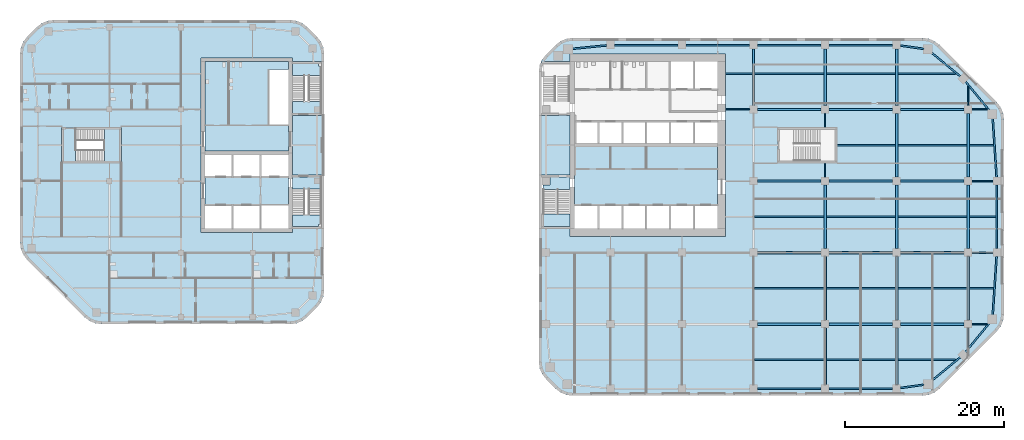
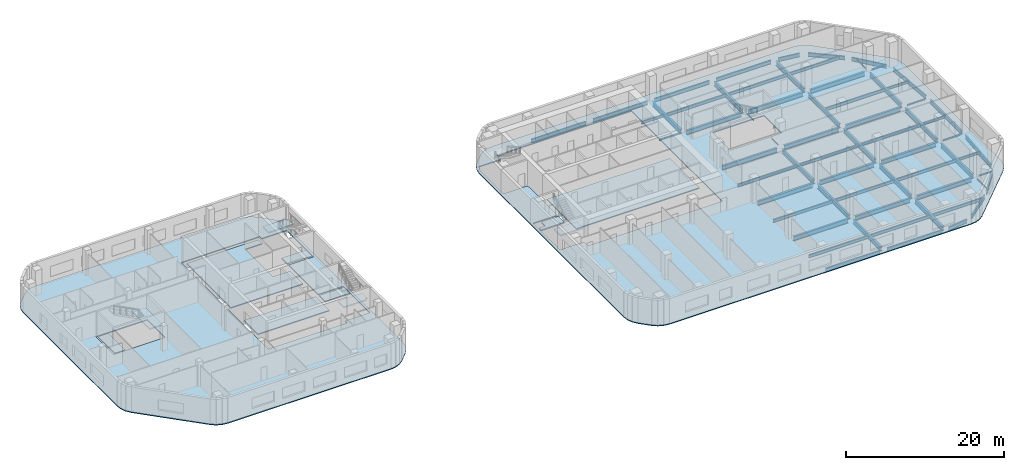
# One storey, part 3 of 15: 68 beams, 13 slabs, 4 elements without a shape of their own.
"""IFC4 building model written with IfcOpenShell, lengths in metres."""

from ifc_helpers import new_model, si_unit, direction, frame, origin, origin_2d, place, context, subcontext, project, spatial, polyline, i_section, outline, extrude, material, layer, layer_set, material_profile, profile_set, type_object, element, aggregate, save


model = new_model("IFC4")

# Units and contexts
model_context = context("Model", 3, precision=1e-05, world=origin(), true_north=direction((0.0, 1.0)))
body_context = subcontext(model_context, "Body", "Model", "MODEL_VIEW")
ifc_project = project(units=[si_unit("LENGTHUNIT", "METRE"), si_unit("AREAUNIT", "SQUARE_METRE"), si_unit("VOLUMEUNIT", "CUBIC_METRE"), si_unit("PLANEANGLEUNIT", "RADIAN"), si_unit("MASSUNIT", "GRAM", prefix="KILO")], contexts=[model_context])

# Site, building, storey
site_placement = place(None, origin())
site = spatial("IfcSite", under=ifc_project, at=site_placement, CompositionType="ELEMENT")
building_placement = place(site_placement, origin())
building = spatial("IfcBuilding", under=site, at=building_placement, Name="Cinnabar Reach Civic Tower", CompositionType="ELEMENT")
storey_placement = place(building_placement, frame((0.0, 0.0, 59.0)))
storey = spatial("IfcBuildingStorey", under=building, at=storey_placement, Name="L13", CompositionType="ELEMENT", Elevation=59.0)

# Beams
ifc_material_1 = material(Name="Steel Q355B", Category="steel")
ifc_material_profile_1 = material_profile(ifc_material_1, i_section(OverallWidth=0.099, OverallDepth=0.198, WebThickness=0.0045, FlangeThickness=0.007, FilletRadius=0.013, at=origin_2d()), Name="HN200x100x5.5x8")
ifc_profile_set_1 = profile_set([ifc_material_profile_1], Name="Steel Q355B")
beam_type_1 = type_object("IfcBeamType", Name="HN200x100x5.5x8 beam R 180", PredefinedType="BEAM", material=ifc_profile_set_1)
for number, where, z_axis, x_axis, name in (
    (1, (36.0, 27.502, -0.249), (0.0, 1.0, 0.0), (-1.0, 0.0, 0.0), "Girder T1 L13 15"),
    (2, (36.0, 33.752, -0.249), (0.0, 1.0, 0.0), (-1.0, 0.0, 0.0), "Girder T1 L13 16"),
):
    element("IfcBeam", number, at=place(storey_placement, frame(where, z_axis=z_axis, x_axis=x_axis)), inside=storey, type_object=beam_type_1, Name=name, PredefinedType="BEAM", context=body_context, shape_type="SweptSolid", body=[
        extrude(i_section(OverallWidth=0.099, OverallDepth=0.198, WebThickness=0.0045, FlangeThickness=0.007, FilletRadius=0.013, at=origin_2d()), origin(), (0.0, 0.0, 1.0), 1.746),
    ])
for number, where, z_axis, x_axis, name in (
    (3, (54.0, 6.0682, -0.249), (0.0, 1.0, 0.0), (-1.0, 0.0, 0.0), "Girder T1 L13 23"),
    (4, (54.0, 36.502, -0.249), (0.0, 1.0, 0.0), (-1.0, 0.0, 0.0), "Girder T1 L13 27"),
):
    element("IfcBeam", number, at=place(storey_placement, frame(where, z_axis=z_axis, x_axis=x_axis)), inside=storey, type_object=beam_type_1, Name=name, PredefinedType="BEAM", context=body_context, shape_type="SweptSolid", body=[
        extrude(i_section(OverallWidth=0.099, OverallDepth=0.198, WebThickness=0.0045, FlangeThickness=0.007, FilletRadius=0.013, at=origin_2d()), origin(), (0.0, 0.0, 1.0), 2.4298),
    ])
ifc_material_profile_2 = material_profile(ifc_material_1, i_section(OverallWidth=0.124, OverallDepth=0.248, WebThickness=0.005, FlangeThickness=0.008, FilletRadius=0.013, at=origin_2d()), Name="HN250x125x6x9")
ifc_profile_set_2 = profile_set([ifc_material_profile_2], Name="Steel Q355B")
beam_type_2 = type_object("IfcBeamType", Name="HN250x125x6x9 beam R 180", PredefinedType="BEAM", material=ifc_profile_set_2)
beam_1_placement = place(storey_placement, frame((54.502, 9.0, -0.274), z_axis=(1.0, 0.0, 0.0), x_axis=(0.0, 1.0, 0.0)))
element("IfcBeam", 5, at=beam_1_placement, inside=storey, type_object=beam_type_2, Name="Girder T1 L13 7", PredefinedType="BEAM", context=body_context, shape_type="SweptSolid", body=[
    extrude(i_section(OverallWidth=0.124, OverallDepth=0.248, WebThickness=0.005, FlangeThickness=0.008, FilletRadius=0.013, at=origin_2d()), origin(), (0.0, 0.0, 1.0), 1.9162),
])
for number, where, z_axis, x_axis, name in (
    (6, (54.502, 18.0, -0.274), (1.0, 0.0, 0.0), (0.0, 1.0, 0.0), "Girder T1 L13 14"),
    (7, (54.502, 27.0, -0.274), (1.0, 0.0, 0.0), (0.0, 1.0, 0.0), "Girder T1 L13 19"),
):
    element("IfcBeam", number, at=place(storey_placement, frame(where, z_axis=z_axis, x_axis=x_axis)), inside=storey, type_object=beam_type_2, Name=name, PredefinedType="BEAM", context=body_context, shape_type="SweptSolid", body=[
        extrude(i_section(OverallWidth=0.124, OverallDepth=0.248, WebThickness=0.005, FlangeThickness=0.008, FilletRadius=0.013, at=origin_2d()), origin(), (0.0, 0.0, 1.0), 2.596),
    ])
beam_2_placement = place(storey_placement, frame((23.502, 36.0, -0.274), z_axis=(1.0, 0.0, 0.0), x_axis=(0.0, 1.0, 0.0)))
element("IfcBeam", 8, at=beam_2_placement, inside=storey, type_object=beam_type_2, Name="Girder T1 L13 20", PredefinedType="BEAM", context=body_context, shape_type="SweptSolid", body=[
    extrude(i_section(OverallWidth=0.124, OverallDepth=0.248, WebThickness=0.005, FlangeThickness=0.008, FilletRadius=0.013, at=origin_2d()), origin(), (0.0, 0.0, 1.0), 2.996),
])
beam_3_placement = place(storey_placement, frame((54.502, 36.0, -0.274), z_axis=(1.0, 0.0, 0.0), x_axis=(0.0, 1.0, 0.0)))
element("IfcBeam", 9, at=beam_3_placement, inside=storey, type_object=beam_type_2, Name="Girder T1 L13 24", PredefinedType="BEAM", context=body_context, shape_type="SweptSolid", body=[
    extrude(i_section(OverallWidth=0.124, OverallDepth=0.248, WebThickness=0.005, FlangeThickness=0.008, FilletRadius=0.013, at=origin_2d()), origin(), (0.0, 0.0, 1.0), 1.9162),
])
ifc_material_profile_3 = material_profile(ifc_material_1, i_section(OverallWidth=0.2, OverallDepth=0.4, WebThickness=0.008, FlangeThickness=0.013, FilletRadius=0.016, at=origin_2d()), Name="HN400x200x8x13")
ifc_profile_set_3 = profile_set([ifc_material_profile_3], Name="Steel Q355B")
beam_type_3 = type_object("IfcBeamType", Name="HN400x200x8x13 beam R 180", PredefinedType="BEAM", material=ifc_profile_set_3)
beam_4_placement = place(storey_placement, frame((54.152, 13.5, -0.35), z_axis=(1.0, 0.0, 0.0), x_axis=(0.0, 1.0, 0.0)))
element("IfcBeam", 10, at=beam_4_placement, inside=storey, type_object=beam_type_3, Name="Secondary beam T1 L13 13", PredefinedType="BEAM", context=body_context, shape_type="SweptSolid", body=[
    extrude(i_section(OverallWidth=0.2, OverallDepth=0.4, WebThickness=0.008, FlangeThickness=0.013, FilletRadius=0.016, at=origin_2d()), origin(), (0.0, 0.0, 1.0), 3.0494),
])
beam_5_placement = place(storey_placement, frame((54.152, 22.5, -0.35), z_axis=(1.0, 0.0, 0.0), x_axis=(0.0, 1.0, 0.0)))
element("IfcBeam", 11, at=beam_5_placement, inside=storey, type_object=beam_type_3, Name="Secondary beam T1 L13 18", PredefinedType="BEAM", context=body_context, shape_type="SweptSolid", body=[
    extrude(i_section(OverallWidth=0.2, OverallDepth=0.4, WebThickness=0.008, FlangeThickness=0.013, FilletRadius=0.016, at=origin_2d()), origin(), (0.0, 0.0, 1.0), 3.346),
])
beam_6_placement = place(storey_placement, frame((54.152, 31.5, -0.35), z_axis=(1.0, 0.0, 0.0), x_axis=(0.0, 1.0, 0.0)))
element("IfcBeam", 12, at=beam_6_placement, inside=storey, type_object=beam_type_3, Name="Secondary beam T1 L13 24", PredefinedType="BEAM", context=body_context, shape_type="SweptSolid", body=[
    extrude(i_section(OverallWidth=0.2, OverallDepth=0.4, WebThickness=0.008, FlangeThickness=0.013, FilletRadius=0.016, at=origin_2d()), origin(), (0.0, 0.0, 1.0), 3.0494),
])
beam_7_placement = place(storey_placement, frame((23.502, 40.5, -0.35), z_axis=(1.0, 0.0, 0.0), x_axis=(0.0, 1.0, 0.0)))
element("IfcBeam", 13, at=beam_7_placement, inside=storey, type_object=beam_type_3, Name="Secondary beam T1 L13 25", PredefinedType="BEAM", context=body_context, shape_type="SweptSolid", body=[
    extrude(i_section(OverallWidth=0.2, OverallDepth=0.4, WebThickness=0.008, FlangeThickness=0.013, FilletRadius=0.016, at=origin_2d()), origin(), (0.0, 0.0, 1.0), 3.346),
])
ifc_material_profile_4 = material_profile(ifc_material_1, i_section(OverallWidth=0.2, OverallDepth=0.5, WebThickness=0.01, FlangeThickness=0.016, FilletRadius=0.016, at=origin_2d()), Name="HN500x200x10x16")
ifc_profile_set_4 = profile_set([ifc_material_profile_4], Name="Steel Q355B")
beam_type_4 = type_object("IfcBeamType", Name="HN500x200x10x16 beam R 180", PredefinedType="BEAM", material=ifc_profile_set_4)
for number, where, z_axis, x_axis, name in (
    (14, (27.152, 4.5, -0.4), (1.0, 0.0, 0.0), (0.0, 1.0, 0.0), "Secondary beam T1 L13 4"),
    (15, (36.152, 4.5, -0.4), (1.0, 0.0, 0.0), (0.0, 1.0, 0.0), "Secondary beam T1 L13 5"),
):
    element("IfcBeam", number, at=place(storey_placement, frame(where, z_axis=z_axis, x_axis=x_axis)), inside=storey, type_object=beam_type_4, Name=name, PredefinedType="BEAM", context=body_context, shape_type="SweptSolid", body=[
        extrude(i_section(OverallWidth=0.2, OverallDepth=0.5, WebThickness=0.01, FlangeThickness=0.016, FilletRadius=0.016, at=origin_2d()), origin(), (0.0, 0.0, 1.0), 8.696),
    ])
beam_8_placement = place(storey_placement, frame((45.152, 4.5, -0.4), z_axis=(1.0, 0.0, 0.0), x_axis=(0.0, 1.0, 0.0)))
element("IfcBeam", 16, at=beam_8_placement, inside=storey, type_object=beam_type_4, Name="Secondary beam T1 L13 6", PredefinedType="BEAM", context=body_context, shape_type="SweptSolid", body=[
    extrude(i_section(OverallWidth=0.2, OverallDepth=0.5, WebThickness=0.01, FlangeThickness=0.016, FilletRadius=0.016, at=origin_2d()), origin(), (0.0, 0.0, 1.0), 7.2798),
])
for number, where, z_axis, x_axis, name in (
    (17, (27.152, 13.5, -0.4), (1.0, 0.0, 0.0), (0.0, 1.0, 0.0), "Secondary beam T1 L13 10"),
    (18, (36.152, 13.5, -0.4), (1.0, 0.0, 0.0), (0.0, 1.0, 0.0), "Secondary beam T1 L13 11"),
    (19, (45.152, 13.5, -0.4), (1.0, 0.0, 0.0), (0.0, 1.0, 0.0), "Secondary beam T1 L13 12"),
    (20, (27.152, 22.5, -0.4), (1.0, 0.0, 0.0), (0.0, 1.0, 0.0), "Secondary beam T1 L13 15"),
    (21, (36.152, 22.5, -0.4), (1.0, 0.0, 0.0), (0.0, 1.0, 0.0), "Secondary beam T1 L13 16"),
    (22, (45.152, 22.5, -0.4), (1.0, 0.0, 0.0), (0.0, 1.0, 0.0), "Secondary beam T1 L13 17"),
):
    element("IfcBeam", number, at=place(storey_placement, frame(where, z_axis=z_axis, x_axis=x_axis)), inside=storey, type_object=beam_type_4, Name=name, PredefinedType="BEAM", context=body_context, shape_type="SweptSolid", body=[
        extrude(i_section(OverallWidth=0.2, OverallDepth=0.5, WebThickness=0.01, FlangeThickness=0.016, FilletRadius=0.016, at=origin_2d()), origin(), (0.0, 0.0, 1.0), 8.696),
    ])
beam_9_placement = place(storey_placement, frame((37.502, 31.5, -0.4), z_axis=(1.0, 0.0, 0.0), x_axis=(0.0, 1.0, 0.0)))
element("IfcBeam", 23, at=beam_9_placement, inside=storey, type_object=beam_type_4, Name="Secondary beam T1 L13 22", PredefinedType="BEAM", context=body_context, shape_type="SweptSolid", body=[
    extrude(i_section(OverallWidth=0.2, OverallDepth=0.5, WebThickness=0.01, FlangeThickness=0.016, FilletRadius=0.016, at=origin_2d()), origin(), (0.0, 0.0, 1.0), 7.346),
])
for number, where, z_axis, x_axis, name in (
    (24, (45.152, 31.5, -0.4), (1.0, 0.0, 0.0), (0.0, 1.0, 0.0), "Secondary beam T1 L13 23"),
    (25, (27.152, 40.5, -0.4), (1.0, 0.0, 0.0), (0.0, 1.0, 0.0), "Secondary beam T1 L13 26"),
    (26, (36.152, 40.5, -0.4), (1.0, 0.0, 0.0), (0.0, 1.0, 0.0), "Secondary beam T1 L13 27"),
):
    element("IfcBeam", number, at=place(storey_placement, frame(where, z_axis=z_axis, x_axis=x_axis)), inside=storey, type_object=beam_type_4, Name=name, PredefinedType="BEAM", context=body_context, shape_type="SweptSolid", body=[
        extrude(i_section(OverallWidth=0.2, OverallDepth=0.5, WebThickness=0.01, FlangeThickness=0.016, FilletRadius=0.016, at=origin_2d()), origin(), (0.0, 0.0, 1.0), 8.696),
    ])
beam_10_placement = place(storey_placement, frame((45.152, 40.5, -0.4), z_axis=(1.0, 0.0, 0.0), x_axis=(0.0, 1.0, 0.0)))
element("IfcBeam", 27, at=beam_10_placement, inside=storey, type_object=beam_type_4, Name="Secondary beam T1 L13 28", PredefinedType="BEAM", context=body_context, shape_type="SweptSolid", body=[
    extrude(i_section(OverallWidth=0.2, OverallDepth=0.5, WebThickness=0.01, FlangeThickness=0.016, FilletRadius=0.016, at=origin_2d()), origin(), (0.0, 0.0, 1.0), 7.2798),
])
ifc_material_profile_5 = material_profile(ifc_material_1, i_section(OverallWidth=0.2, OverallDepth=0.6, WebThickness=0.011, FlangeThickness=0.017, FilletRadius=0.016, at=origin_2d()), Name="HN600x200x11x17")
ifc_profile_set_5 = profile_set([ifc_material_profile_5], Name="Steel Q355B")
beam_type_5 = type_object("IfcBeamType", Name="HN600x200x11x17 beam R 180", PredefinedType="BEAM", material=ifc_profile_set_5)
for number, where, z_axis, x_axis, name in (
    (28, (27.502, 0.9, -0.45), (1.0, 0.0, 0.0), (0.0, 1.0, 0.0), "Edge beam T1 L13 4"),
    (29, (36.502, 0.9, -0.45), (1.0, 0.0, 0.0), (0.0, 1.0, 0.0), "Edge beam T1 L13 5"),
):
    element("IfcBeam", number, at=place(storey_placement, frame(where, z_axis=z_axis, x_axis=x_axis)), inside=storey, type_object=beam_type_5, Name=name, PredefinedType="BEAM", context=body_context, shape_type="SweptSolid", body=[
        extrude(i_section(OverallWidth=0.2, OverallDepth=0.6, WebThickness=0.011, FlangeThickness=0.017, FilletRadius=0.016, at=origin_2d()), origin(), (0.0, 0.0, 1.0), 7.996),
    ])
beam_11_placement = place(storey_placement, frame((45.502, 0.9712, -0.45), z_axis=(0.990082238922, 0.140489003738, 0.0), x_axis=(-0.140489003738, 0.990082238922, 0.0)))
element("IfcBeam", 30, at=beam_11_placement, inside=storey, type_object=beam_type_5, Name="Edge beam T1 L13 6", PredefinedType="BEAM", context=body_context, shape_type="SweptSolid", body=[
    extrude(i_section(OverallWidth=0.2, OverallDepth=0.6, WebThickness=0.011, FlangeThickness=0.017, FilletRadius=0.016, at=origin_2d()), origin(), (0.0, 0.0, 1.0), 2.9433),
])
for number, where, z_axis, x_axis, name in (
    (31, (49.3801, 1.8507, -0.45), (0.77143827905, 0.6363041581, 0.0), (-0.6363041581, 0.77143827905, 0.0), "Edge beam T1 L13 7"),
    (32, (53.6461, 5.4789, -0.45), (0.6363041581, 0.77143827905, 0.0), (-0.77143827905, 0.6363041581, 0.0), "Edge beam T1 L13 8"),
):
    element("IfcBeam", number, at=place(storey_placement, frame(where, z_axis=z_axis, x_axis=x_axis)), inside=storey, type_object=beam_type_5, Name=name, PredefinedType="BEAM", context=body_context, shape_type="SweptSolid", body=[
        extrude(i_section(OverallWidth=0.2, OverallDepth=0.6, WebThickness=0.011, FlangeThickness=0.017, FilletRadius=0.016, at=origin_2d()), origin(), (0.0, 0.0, 1.0), 4.7198),
    ])
beam_12_placement = place(storey_placement, frame((57.0786, 10.0839, -0.45), z_axis=(0.065718615968, 0.997838195057, 0.0), x_axis=(-0.997838195057, 0.065718615968, 0.0)))
element("IfcBeam", 33, at=beam_12_placement, inside=storey, type_object=beam_type_5, Name="Edge beam T1 L13 9", PredefinedType="BEAM", context=body_context, shape_type="SweptSolid", body=[
    extrude(i_section(OverallWidth=0.2, OverallDepth=0.6, WebThickness=0.011, FlangeThickness=0.017, FilletRadius=0.016, at=origin_2d()), origin(), (0.0, 0.0, 1.0), 7.4302),
])
beam_13_placement = place(storey_placement, frame((57.6, 18.502, -0.45), z_axis=(0.0, 1.0, 0.0), x_axis=(-1.0, 0.0, 0.0)))
element("IfcBeam", 34, at=beam_13_placement, inside=storey, type_object=beam_type_5, Name="Edge beam T1 L13 10", PredefinedType="BEAM", context=body_context, shape_type="SweptSolid", body=[
    extrude(i_section(OverallWidth=0.2, OverallDepth=0.6, WebThickness=0.011, FlangeThickness=0.017, FilletRadius=0.016, at=origin_2d()), origin(), (0.0, 0.0, 1.0), 7.996),
])
beam_14_placement = place(storey_placement, frame((57.5669, 27.502, -0.45), z_axis=(-0.065718615968, 0.997838195057, 0.0), x_axis=(-0.997838195057, -0.065718615968, 0.0)))
element("IfcBeam", 35, at=beam_14_placement, inside=storey, type_object=beam_type_5, Name="Edge beam T1 L13 11", PredefinedType="BEAM", context=body_context, shape_type="SweptSolid", body=[
    extrude(i_section(OverallWidth=0.2, OverallDepth=0.6, WebThickness=0.011, FlangeThickness=0.017, FilletRadius=0.016, at=origin_2d()), origin(), (0.0, 0.0, 1.0), 7.4302),
])
for number, where, z_axis, x_axis, name in (
    (36, (56.6493, 35.8801, -0.45), (-0.6363041581, 0.77143827905, 0.0), (-0.77143827905, -0.6363041581, 0.0), "Edge beam T1 L13 12"),
    (37, (53.0211, 40.1461, -0.45), (-0.77143827905, 0.6363041581, 0.0), (-0.6363041581, -0.77143827905, 0.0), "Edge beam T1 L13 13"),
):
    element("IfcBeam", number, at=place(storey_placement, frame(where, z_axis=z_axis, x_axis=x_axis)), inside=storey, type_object=beam_type_5, Name=name, PredefinedType="BEAM", context=body_context, shape_type="SweptSolid", body=[
        extrude(i_section(OverallWidth=0.2, OverallDepth=0.6, WebThickness=0.011, FlangeThickness=0.017, FilletRadius=0.016, at=origin_2d()), origin(), (0.0, 0.0, 1.0), 4.7198),
    ])
beam_15_placement = place(storey_placement, frame((48.4161, 43.6153, -0.45), z_axis=(-0.990082238922, 0.140489003738, 0.0), x_axis=(-0.140489003738, -0.990082238922, 0.0)))
element("IfcBeam", 38, at=beam_15_placement, inside=storey, type_object=beam_type_5, Name="Edge beam T1 L13 14", PredefinedType="BEAM", context=body_context, shape_type="SweptSolid", body=[
    extrude(i_section(OverallWidth=0.2, OverallDepth=0.6, WebThickness=0.011, FlangeThickness=0.017, FilletRadius=0.016, at=origin_2d()), origin(), (0.0, 0.0, 1.0), 2.9433),
])
for number, where, z_axis, x_axis, name in (
    (39, (44.498, 44.1, -0.45), (-1.0, 0.0, 0.0), (0.0, -1.0, 0.0), "Edge beam T1 L13 15"),
    (40, (35.498, 44.1, -0.45), (-1.0, 0.0, 0.0), (0.0, -1.0, 0.0), "Edge beam T1 L13 16"),
    (41, (26.498, 44.1, -0.45), (-1.0, 0.0, 0.0), (0.0, -1.0, 0.0), "Edge beam T1 L13 17"),
    (42, (17.498, 44.1, -0.45), (-1.0, 0.0, 0.0), (0.0, -1.0, 0.0), "Edge beam T1 L13 18"),
):
    element("IfcBeam", number, at=place(storey_placement, frame(where, z_axis=z_axis, x_axis=x_axis)), inside=storey, type_object=beam_type_5, Name=name, PredefinedType="BEAM", context=body_context, shape_type="SweptSolid", body=[
        extrude(i_section(OverallWidth=0.2, OverallDepth=0.6, WebThickness=0.011, FlangeThickness=0.017, FilletRadius=0.016, at=origin_2d()), origin(), (0.0, 0.0, 1.0), 7.996),
    ])
beam_16_placement = place(storey_placement, frame((8.498, 44.0505, -0.45), z_axis=(-0.995166374533, -0.098203294236, 0.0), x_axis=(0.098203294236, -0.995166374533, 0.0)))
element("IfcBeam", 43, at=beam_16_placement, inside=storey, type_object=beam_type_5, Name="Edge beam T1 L13 19", PredefinedType="BEAM", context=body_context, shape_type="SweptSolid", body=[
    extrude(i_section(OverallWidth=0.2, OverallDepth=0.6, WebThickness=0.011, FlangeThickness=0.017, FilletRadius=0.016, at=origin_2d()), origin(), (0.0, 0.0, 1.0), 4.3705),
])
ifc_material_profile_6 = material_profile(ifc_material_1, i_section(OverallWidth=0.3, OverallDepth=0.692, WebThickness=0.013, FlangeThickness=0.02, FilletRadius=0.016, at=origin_2d()), Name="HN692x300x13x20")
ifc_profile_set_6 = profile_set([ifc_material_profile_6], Name="Steel Q355B")
beam_type_6 = type_object("IfcBeamType", Name="HN692x300x13x20 beam R 180", PredefinedType="BEAM", material=ifc_profile_set_6)
for number, where, z_axis, x_axis, name in (
    (44, (27.0, 36.502, -0.496), (0.0, 1.0, 0.0), (-1.0, 0.0, 0.0), "Girder T1 L13 11"),
    (45, (36.0, 1.402, -0.496), (0.0, 1.0, 0.0), (-1.0, 0.0, 0.0), "Girder T1 L13 12"),
):
    element("IfcBeam", number, at=place(storey_placement, frame(where, z_axis=z_axis, x_axis=x_axis)), inside=storey, type_object=beam_type_6, Name=name, PredefinedType="BEAM", context=body_context, shape_type="SweptSolid", body=[
        extrude(i_section(OverallWidth=0.3, OverallDepth=0.692, WebThickness=0.013, FlangeThickness=0.02, FilletRadius=0.016, at=origin_2d()), origin(), (0.0, 0.0, 1.0), 7.096),
    ])
for number, where, z_axis, x_axis, name in (
    (46, (36.0, 9.502, -0.496), (0.0, 1.0, 0.0), (-1.0, 0.0, 0.0), "Girder T1 L13 13"),
    (47, (36.0, 18.502, -0.496), (0.0, 1.0, 0.0), (-1.0, 0.0, 0.0), "Girder T1 L13 14"),
):
    element("IfcBeam", number, at=place(storey_placement, frame(where, z_axis=z_axis, x_axis=x_axis)), inside=storey, type_object=beam_type_6, Name=name, PredefinedType="BEAM", context=body_context, shape_type="SweptSolid", body=[
        extrude(i_section(OverallWidth=0.3, OverallDepth=0.692, WebThickness=0.013, FlangeThickness=0.02, FilletRadius=0.016, at=origin_2d()), origin(), (0.0, 0.0, 1.0), 7.996),
    ])
for number, where, z_axis, x_axis, name in (
    (48, (36.0, 36.502, -0.496), (0.0, 1.0, 0.0), (-1.0, 0.0, 0.0), "Girder T1 L13 17"),
    (49, (45.0, 1.402, -0.496), (0.0, 1.0, 0.0), (-1.0, 0.0, 0.0), "Girder T1 L13 18"),
):
    element("IfcBeam", number, at=place(storey_placement, frame(where, z_axis=z_axis, x_axis=x_axis)), inside=storey, type_object=beam_type_6, Name=name, PredefinedType="BEAM", context=body_context, shape_type="SweptSolid", body=[
        extrude(i_section(OverallWidth=0.3, OverallDepth=0.692, WebThickness=0.013, FlangeThickness=0.02, FilletRadius=0.016, at=origin_2d()), origin(), (0.0, 0.0, 1.0), 7.096),
    ])
for number, where, z_axis, x_axis, name in (
    (50, (45.0, 9.502, -0.496), (0.0, 1.0, 0.0), (-1.0, 0.0, 0.0), "Girder T1 L13 19"),
    (51, (45.0, 18.502, -0.496), (0.0, 1.0, 0.0), (-1.0, 0.0, 0.0), "Girder T1 L13 20"),
    (52, (45.0, 27.502, -0.496), (0.0, 1.0, 0.0), (-1.0, 0.0, 0.0), "Girder T1 L13 21"),
):
    element("IfcBeam", number, at=place(storey_placement, frame(where, z_axis=z_axis, x_axis=x_axis)), inside=storey, type_object=beam_type_6, Name=name, PredefinedType="BEAM", context=body_context, shape_type="SweptSolid", body=[
        extrude(i_section(OverallWidth=0.3, OverallDepth=0.692, WebThickness=0.013, FlangeThickness=0.02, FilletRadius=0.016, at=origin_2d()), origin(), (0.0, 0.0, 1.0), 7.996),
    ])
beam_17_placement = place(storey_placement, frame((45.0, 36.502, -0.496), z_axis=(0.0, 1.0, 0.0), x_axis=(-1.0, 0.0, 0.0)))
element("IfcBeam", 53, at=beam_17_placement, inside=storey, type_object=beam_type_6, Name="Girder T1 L13 22", PredefinedType="BEAM", context=body_context, shape_type="SweptSolid", body=[
    extrude(i_section(OverallWidth=0.3, OverallDepth=0.692, WebThickness=0.013, FlangeThickness=0.02, FilletRadius=0.016, at=origin_2d()), origin(), (0.0, 0.0, 1.0), 7.096),
])
for number, where, z_axis, x_axis, name in (
    (54, (54.0, 9.502, -0.496), (0.0, 1.0, 0.0), (-1.0, 0.0, 0.0), "Girder T1 L13 24"),
    (55, (54.0, 18.502, -0.496), (0.0, 1.0, 0.0), (-1.0, 0.0, 0.0), "Girder T1 L13 25"),
    (56, (54.0, 27.502, -0.496), (0.0, 1.0, 0.0), (-1.0, 0.0, 0.0), "Girder T1 L13 26"),
):
    element("IfcBeam", number, at=place(storey_placement, frame(where, z_axis=z_axis, x_axis=x_axis)), inside=storey, type_object=beam_type_6, Name=name, PredefinedType="BEAM", context=body_context, shape_type="SweptSolid", body=[
        extrude(i_section(OverallWidth=0.3, OverallDepth=0.692, WebThickness=0.013, FlangeThickness=0.02, FilletRadius=0.016, at=origin_2d()), origin(), (0.0, 0.0, 1.0), 7.996),
    ])
ifc_material_profile_7 = material_profile(ifc_material_1, i_section(OverallWidth=0.3, OverallDepth=0.7, WebThickness=0.013, FlangeThickness=0.024, FilletRadius=0.02, at=origin_2d()), Name="HN700x300x13x24")
ifc_profile_set_7 = profile_set([ifc_material_profile_7], Name="Steel Q355B")
beam_type_7 = type_object("IfcBeamType", Name="HN700x300x13x24 beam R 180", PredefinedType="BEAM", material=ifc_profile_set_7)
for number, where, z_axis, x_axis, name in (
    (57, (27.502, 9.0, -0.5), (1.0, 0.0, 0.0), (0.0, 1.0, 0.0), "Girder T1 L13 4"),
    (58, (36.502, 9.0, -0.5), (1.0, 0.0, 0.0), (0.0, 1.0, 0.0), "Girder T1 L13 5"),
    (59, (45.502, 9.0, -0.5), (1.0, 0.0, 0.0), (0.0, 1.0, 0.0), "Girder T1 L13 6"),
    (60, (27.502, 18.0, -0.5), (1.0, 0.0, 0.0), (0.0, 1.0, 0.0), "Girder T1 L13 11"),
    (61, (36.502, 18.0, -0.5), (1.0, 0.0, 0.0), (0.0, 1.0, 0.0), "Girder T1 L13 12"),
    (62, (45.502, 18.0, -0.5), (1.0, 0.0, 0.0), (0.0, 1.0, 0.0), "Girder T1 L13 13"),
    (63, (27.502, 27.0, -0.5), (1.0, 0.0, 0.0), (0.0, 1.0, 0.0), "Girder T1 L13 16"),
    (64, (36.502, 27.0, -0.5), (1.0, 0.0, 0.0), (0.0, 1.0, 0.0), "Girder T1 L13 17"),
    (65, (45.502, 27.0, -0.5), (1.0, 0.0, 0.0), (0.0, 1.0, 0.0), "Girder T1 L13 18"),
    (66, (27.502, 36.0, -0.5), (1.0, 0.0, 0.0), (0.0, 1.0, 0.0), "Girder T1 L13 21"),
    (67, (36.502, 36.0, -0.5), (1.0, 0.0, 0.0), (0.0, 1.0, 0.0), "Girder T1 L13 22"),
    (68, (45.502, 36.0, -0.5), (1.0, 0.0, 0.0), (0.0, 1.0, 0.0), "Girder T1 L13 23"),
):
    element("IfcBeam", number, at=place(storey_placement, frame(where, z_axis=z_axis, x_axis=x_axis)), inside=storey, type_object=beam_type_7, Name=name, PredefinedType="BEAM", context=body_context, shape_type="SweptSolid", body=[
        extrude(i_section(OverallWidth=0.3, OverallDepth=0.7, WebThickness=0.013, FlangeThickness=0.024, FilletRadius=0.02, at=origin_2d()), origin(), (0.0, 0.0, 1.0), 7.996),
    ])

# Slabs
ifc_material_2 = material(Name="Concrete C40", Category="concrete")
ifc_layer_1 = layer(ifc_material_2, 0.15)
ifc_layer_set_1 = layer_set([ifc_layer_1], Name="Composite floor slab 150 REI 120")
slab_type_1 = type_object("IfcSlabType", Name="Composite floor slab 150 REI 120", PredefinedType="FLOOR", material=ifc_layer_set_1)
slab_1_placement = place(storey_placement, frame((0.0, 0.0, -0.15)))
element("IfcSlab", 69, at=slab_1_placement, inside=storey, type_object=slab_type_1, Name="Composite floor slab 150 T2 L13", PredefinedType="FLOOR", context=body_context, shape_type="SweptSolid", body=[
    extrude(outline(polyline([(-64.3713, 17.1213), (-64.8481, 17.7426), (-65.1478, 18.4662), (-65.25, 19.2426), (-65.25, 43.0074), (-65.1478, 43.7838), (-64.8481, 44.5074), (-64.3713, 45.1287), (-63.1287, 46.3713), (-62.5074, 46.8481), (-61.7838, 47.1478), (-61.0074, 47.25), (-31.2426, 47.25), (-30.4662, 47.1478), (-29.7426, 46.8481), (-29.1213, 46.3713), (-27.8787, 45.1287), (-27.4019, 44.5074), (-27.1022, 43.7838), (-27.0, 43.0074), (-27.0, 13.2426), (-27.1022, 12.4662), (-27.4019, 11.7426), (-27.8787, 11.1213), (-29.1213, 9.8787), (-29.7426, 9.4019), (-30.4662, 9.1022), (-31.2426, 9.0), (-55.0074, 9.0), (-55.7838, 9.1022), (-56.5074, 9.4019), (-57.1287, 9.8787), (-64.3713, 17.1213)]), holes=[polyline([(-31.0, 27.75), (-31.0, 35.25), (-27.36, 35.25), (-27.36, 42.0), (-31.0, 42.0), (-31.0, 42.5), (-42.5, 42.5), (-42.5, 20.5), (-31.0, 20.5), (-31.0, 21.0), (-27.36, 21.0), (-27.36, 27.75), (-31.0, 27.75)]), polyline([(-60.0, 33.75), (-60.0, 29.25), (-52.5, 29.25), (-52.5, 33.75), (-60.0, 33.75)])]), origin(), (0.0, 0.0, 1.0), 0.15),
])
ifc_layer_2 = layer(ifc_material_2, 0.15)
ifc_layer_set_2 = layer_set([ifc_layer_2], Name="Composite floor slab 150 REI 150")
slab_type_2 = type_object("IfcSlabType", Name="Composite floor slab 150 REI 150", PredefinedType="FLOOR", material=ifc_layer_set_2)
slab_2_placement = place(storey_placement, frame((0.0, 0.0, -0.15)))
element("IfcSlab", 70, at=slab_2_placement, inside=storey, type_object=slab_type_2, Name="Composite floor slab 150 T1 L13", PredefinedType="FLOOR", context=body_context, shape_type="SweptSolid", body=[
    extrude(outline(polyline([(0.8787, 2.1213), (0.4019, 2.7426), (0.1022, 3.4662), (0.0, 4.2426), (0.0, 40.7574), (0.1022, 41.5338), (0.4019, 42.2574), (0.8787, 42.8787), (2.1213, 44.1213), (2.7426, 44.5981), (3.4662, 44.8978), (4.2426, 45.0), (48.2574, 45.0), (49.0338, 44.8978), (49.7574, 44.5981), (50.3787, 44.1213), (57.6213, 36.8787), (58.0981, 36.2574), (58.3978, 35.5338), (58.5, 34.7574), (58.5, 10.2426), (58.3978, 9.4662), (58.0981, 8.7426), (57.6213, 8.1213), (50.3787, 0.8787), (49.7574, 0.4019), (49.0338, 0.1022), (48.2574, 0.0), (4.2426, 0.0), (3.4662, 0.1022), (2.7426, 0.4019), (2.1213, 0.8787), (0.8787, 2.1213)]), holes=[polyline([(0.36, 21.0), (3.9, 21.0), (3.9, 20.0), (23.5, 20.0), (23.5, 43.0), (3.9, 43.0), (3.9, 42.0), (0.685, 42.0), (0.453, 41.4398), (0.36, 40.7338), (0.36, 35.25), (3.9, 35.25), (3.9, 27.75), (0.36, 27.75), (0.36, 21.0)]), polyline([(30.0, 33.75), (30.0, 29.25), (37.5, 29.25), (37.5, 33.75), (30.0, 33.75)])]), origin(), (0.0, 0.0, 1.0), 0.15),
])

# Stair, slabs
ifc_material_3 = material(Name="Concrete C40/50", Category="concrete")
stair_type_1 = type_object("IfcStairType", Name="T1 Exit stair, half-turn", PredefinedType="HALF_TURN_STAIR", material=ifc_material_3)
stair_1_placement = place(storey_placement, origin())
stair_1 = element("IfcStair", 71, at=stair_1_placement, inside=storey, type_object=stair_type_1, Name="Stair T1-S1", PredefinedType="HALF_TURN_STAIR")
ifc_layer_3 = layer(ifc_material_3, 0.2)
ifc_layer_set_3 = layer_set([ifc_layer_3], Name="T1 Stair landing 200, Concrete C40/50")
slab_type_3 = type_object("IfcSlabType", Name="T1 Stair landing 200, Concrete C40/50", PredefinedType="LANDING", material=ifc_layer_set_3)
slab_3_placement = place(storey_placement, frame((0.0, 0.0, -0.2)))
slab_3 = element("IfcSlab", 72, at=slab_3_placement, type_object=slab_type_3, Name="T1-S1 landing 1", PredefinedType="LANDING", context=body_context, shape_type="SweptSolid", body=[
    extrude(outline(polyline([(3.9, 27.5), (3.9, 25.95), (0.5, 25.95), (0.5, 26.5), (1.4, 26.5), (1.4, 27.5), (3.9, 27.5)])), origin(), (0.0, 0.0, 1.0), 0.2),
])
slab_4_placement = place(storey_placement, frame((0.0, 0.0, 1.8)))
slab_4 = element("IfcSlab", 73, at=slab_4_placement, type_object=slab_type_3, Name="T1-S1 landing 2", PredefinedType="LANDING", context=body_context, shape_type="SweptSolid", body=[
    extrude(outline(polyline([(0.6, 21.25), (0.6, 22.87), (3.9, 22.87), (3.9, 21.25), (0.6, 21.25)])), origin(), (0.0, 0.0, 1.0), 0.2),
])
aggregate(stair_1, [slab_3, slab_4])

# Slabs
ifc_layer_4 = layer(ifc_material_3, 0.15)
ifc_layer_set_4 = layer_set([ifc_layer_4], Name="T1 core floor slab 150")
slab_type_4 = type_object("IfcSlabType", Name="T1 core floor slab 150", PredefinedType="FLOOR", material=ifc_layer_set_4)
slab_5_placement = place(storey_placement, frame((0.0, 0.0, -0.15)))
element("IfcSlab", 74, at=slab_5_placement, inside=storey, type_object=slab_type_4, Name="Core floor slab L13", PredefinedType="FLOOR", context=body_context, shape_type="SweptSolid", body=[
    extrude(outline(polyline([(22.5, 24.0), (19.5, 24.0), (16.5, 24.0), (13.5, 24.0), (10.5, 24.0), (7.5, 24.0), (4.5, 24.0), (4.5, 31.5), (7.5, 31.5), (10.5, 31.5), (13.5, 31.5), (16.5, 31.5), (19.5, 31.5), (22.5, 31.5), (22.5, 24.0)])), origin(), (0.0, 0.0, 1.0), 0.15),
])
ifc_layer_5 = layer(ifc_material_2, 0.15)
ifc_layer_set_5 = layer_set([ifc_layer_5], Name="T2 Core floor slab 150")
slab_type_5 = type_object("IfcSlabType", Name="T2 Core floor slab 150", PredefinedType="FLOOR", material=ifc_layer_set_5)
slab_6_placement = place(storey_placement, frame((0.0, 0.0, -0.15)))
element("IfcSlab", 75, at=slab_6_placement, inside=storey, type_object=slab_type_5, Name="Core floor slab L13", PredefinedType="FLOOR", context=body_context, shape_type="SweptSolid", body=[
    extrude(outline(polyline([(-42.0, 42.0), (-31.5, 42.0), (-31.5, 41.0), (-34.0, 41.0), (-34.0, 34.0), (-31.5, 34.0), (-31.5, 30.75), (-42.0, 30.75), (-42.0, 42.0)])), origin(), (0.0, 0.0, 1.0), 0.15),
])
slab_7_placement = place(storey_placement, frame((0.0, 0.0, -0.15)))
element("IfcSlab", 76, at=slab_7_placement, inside=storey, type_object=slab_type_5, Name="Core floor slab L13", PredefinedType="FLOOR", context=body_context, shape_type="SweptSolid", body=[
    extrude(outline(polyline([(-35.0, 24.0), (-38.5, 24.0), (-42.0, 24.0), (-42.0, 27.5), (-38.5, 27.5), (-35.0, 27.5), (-31.5, 27.5), (-31.5, 24.0), (-35.0, 24.0)])), origin(), (0.0, 0.0, 1.0), 0.15),
])

# Stair, slabs
stair_type_2 = type_object("IfcStairType", Name="T2 Exit stair 1500", PredefinedType="HALF_TURN_STAIR", material=ifc_material_2)
stair_2_placement = place(storey_placement, origin())
stair_2 = element("IfcStair", 77, at=stair_2_placement, inside=storey, type_object=stair_type_2, Name="Exit stair 1", PredefinedType="HALF_TURN_STAIR")
ifc_layer_6 = layer(ifc_material_2, 0.2)
ifc_layer_set_6 = layer_set([ifc_layer_6], Name="T2 Stair landing 200")
slab_type_6 = type_object("IfcSlabType", Name="T2 Stair landing 200", PredefinedType="LANDING", material=ifc_layer_set_6)
slab_8_placement = place(storey_placement, frame((0.0, 0.0, -0.2)))
slab_8 = element("IfcSlab", 78, at=slab_8_placement, type_object=slab_type_6, Name="ST1 landing 1", PredefinedType="LANDING", context=body_context, shape_type="SweptSolid", body=[
    extrude(outline(polyline([(-31.0, 26.0), (-31.0, 27.5), (-27.4, 27.5), (-27.4, 26.0), (-31.0, 26.0)])), origin(), (0.0, 0.0, 1.0), 0.2),
])
slab_9_placement = place(storey_placement, frame((0.0, 0.0, 1.8)))
slab_9 = element("IfcSlab", 79, at=slab_9_placement, type_object=slab_type_6, Name="ST1 landing 2", PredefinedType="LANDING", context=body_context, shape_type="SweptSolid", body=[
    extrude(outline(polyline([(-31.0, 21.25), (-31.0, 22.75), (-27.4, 22.75), (-27.4, 21.55), (-27.7, 21.55), (-27.7, 21.25), (-31.0, 21.25)])), origin(), (0.0, 0.0, 1.0), 0.2),
])
aggregate(stair_2, [slab_8, slab_9])

stair_3_placement = place(storey_placement, origin())
stair_3 = element("IfcStair", 80, at=stair_3_placement, inside=storey, type_object=stair_type_2, Name="Exit stair 2", PredefinedType="HALF_TURN_STAIR")
slab_10_placement = place(storey_placement, frame((0.0, 0.0, -0.2)))
slab_10 = element("IfcSlab", 81, at=slab_10_placement, type_object=slab_type_6, Name="ST2 landing 1", PredefinedType="LANDING", context=body_context, shape_type="SweptSolid", body=[
    extrude(outline(polyline([(-31.0, 35.5), (-31.0, 37.0), (-27.4, 37.0), (-27.4, 35.5), (-31.0, 35.5)])), origin(), (0.0, 0.0, 1.0), 0.2),
])
slab_11_placement = place(storey_placement, frame((0.0, 0.0, 1.8)))
slab_11 = element("IfcSlab", 82, at=slab_11_placement, type_object=slab_type_6, Name="ST2 landing 2", PredefinedType="LANDING", context=body_context, shape_type="SweptSolid", body=[
    extrude(outline(polyline([(-27.4, 40.25), (-31.0, 40.25), (-31.0, 41.75), (-27.7, 41.75), (-27.7, 41.45), (-27.4, 41.45), (-27.4, 40.25)])), origin(), (0.0, 0.0, 1.0), 0.2),
])
aggregate(stair_3, [slab_10, slab_11])

stair_4_placement = place(storey_placement, origin())
stair_4 = element("IfcStair", 83, at=stair_4_placement, inside=storey, type_object=stair_type_2, Name="Exit stair 3", PredefinedType="HALF_TURN_STAIR")
slab_12_placement = place(storey_placement, frame((0.0, 0.0, -0.2)))
slab_12 = element("IfcSlab", 84, at=slab_12_placement, type_object=slab_type_6, Name="ST3 landing 1", PredefinedType="LANDING", context=body_context, shape_type="SweptSolid", body=[
    extrude(outline(polyline([(-59.75, 29.375), (-59.75, 33.625), (-58.25, 33.625), (-58.25, 29.375), (-59.75, 29.375)])), origin(), (0.0, 0.0, 1.0), 0.2),
])
slab_13_placement = place(storey_placement, frame((0.0, 0.0, 1.8)))
slab_13 = element("IfcSlab", 85, at=slab_13_placement, type_object=slab_type_6, Name="ST3 landing 2", PredefinedType="LANDING", context=body_context, shape_type="SweptSolid", body=[
    extrude(outline(polyline([(-54.65, 29.375), (-54.65, 33.625), (-52.75, 33.625), (-52.75, 29.375), (-54.65, 29.375)])), origin(), (0.0, 0.0, 1.0), 0.2),
])
aggregate(stair_4, [slab_12, slab_13])

save(model, "model.ifc")
